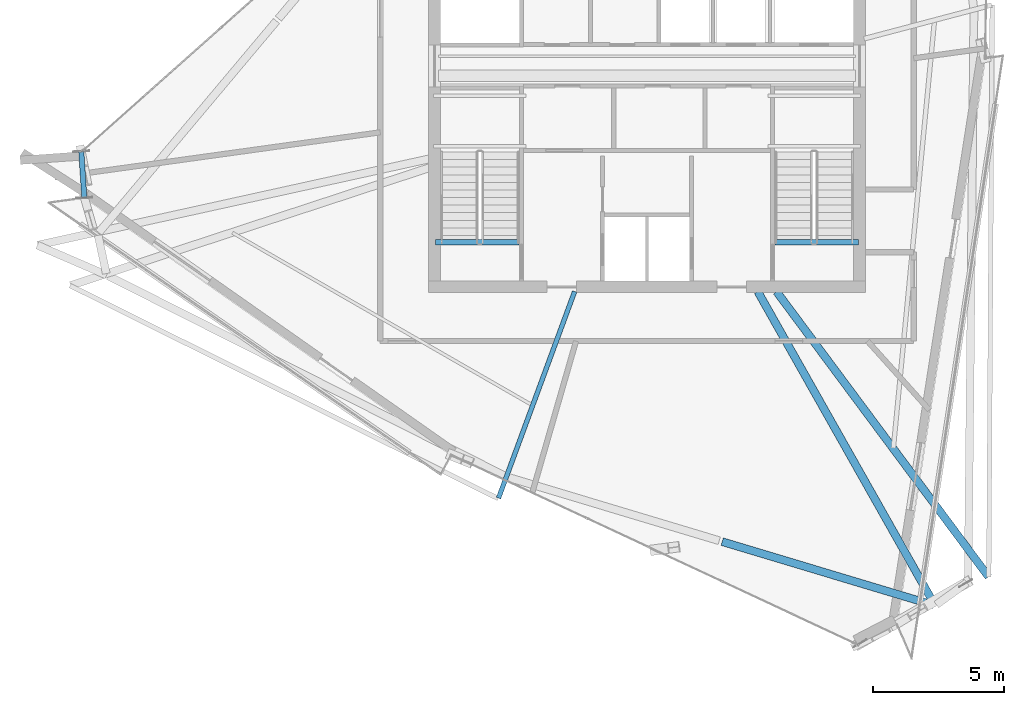
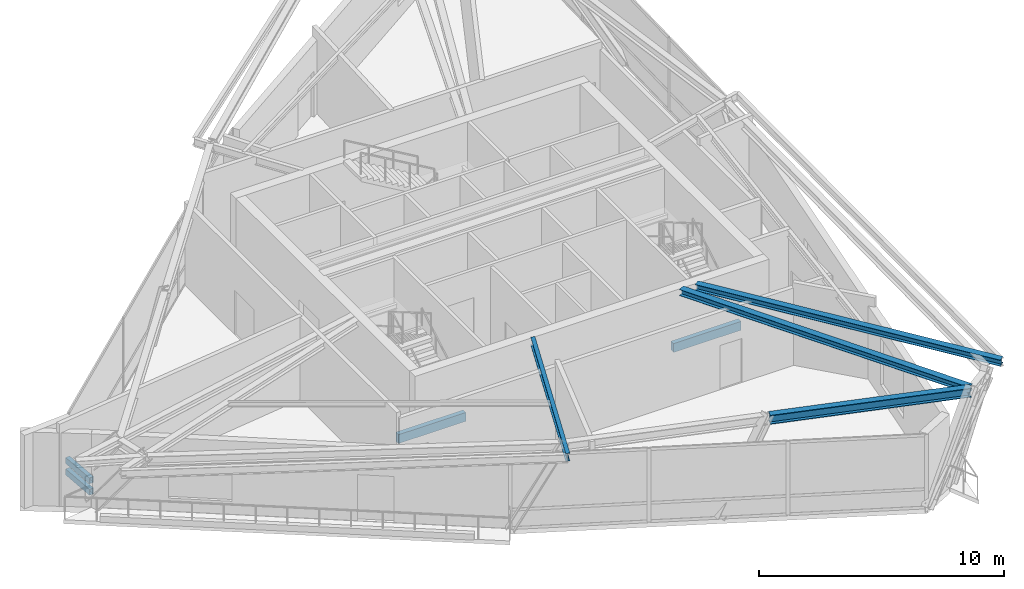
# One storey, part 5 of 22: 6 beams, 2 members.
"""IFC4 building model written with IfcOpenShell, lengths in metres."""

from ifc_helpers import new_model, si_unit, direction, frame, origin, origin_2d, place, context, subcontext, project, spatial, rectangle, hollow_rectangle, i_section, extrude, source, transform, mapped, material, material_profile, profile_set, type_object, element, save


model = new_model("IFC4")

# Units and contexts
model_context = context("Model", 3, precision=1e-05, world=origin(), true_north=direction((0.0, 1.0)))
body_context = subcontext(model_context, "Body", "Model", "MODEL_VIEW")
ifc_project = project(units=[si_unit("LENGTHUNIT", "METRE"), si_unit("AREAUNIT", "SQUARE_METRE"), si_unit("VOLUMEUNIT", "CUBIC_METRE"), si_unit("PLANEANGLEUNIT", "RADIAN"), si_unit("MASSUNIT", "GRAM", prefix="KILO")], contexts=[model_context])

# Site, building, storey
site_placement = place(None, origin())
site = spatial("IfcSite", under=ifc_project, at=site_placement, CompositionType="ELEMENT")
building_placement = place(site_placement, origin())
building = spatial("IfcBuilding", under=site, at=building_placement, Name="Olszyna Solenne Hotel", CompositionType="ELEMENT")
storey_placement = place(building_placement, frame((0.0, 0.0, 286.10009765625)))
storey = spatial("IfcBuildingStorey", under=building, at=storey_placement, Name="L76", CompositionType="ELEMENT", Elevation=286.10009765625)

# Beams
ifc_material_1 = material(Name="Steel S355J2", Category="steel")
ifc_material_profile_1 = material_profile(ifc_material_1, i_section(OverallWidth=0.300048828125, OverallDepth=0.449951171875, WebThickness=0.013916015625, FlangeThickness=0.02587890625, at=origin_2d()), Name="HEB 450", Category="load-bearing")
ifc_profile_set_1 = profile_set([ifc_material_profile_1], Name="Steel S355J2")
beam_type_1 = type_object("IfcBeamType", Name="BM-S4", PredefinedType="BEAM", material=ifc_profile_set_1)
shared_shape_1 = source(origin(), body_context, "Body", "SweptSolid", [
    extrude(i_section(OverallWidth=0.300048828125, OverallDepth=0.449951171875, WebThickness=0.013916015625, FlangeThickness=0.02587890625, at=origin_2d()), origin(), (0.0, 0.0, 1.0), 8.439453125),
])
beam_1_placement = place(storey_placement, frame((40.876708984375, 9.5322265625, 3.89501953125), z_axis=(0.957713150335, -0.287724732472, 0.0), x_axis=(0.287724732472, 0.957713150335, 0.0)))
element("IfcBeam", 1, at=beam_1_placement, inside=storey, type_object=beam_type_1, Name="Perimeter spandrel beam BM-S4 B-L76-2231", PredefinedType="BEAM", context=body_context, shape_type="MappedRepresentation", body=[
    mapped(shared_shape_1, transform((0.0, 0.0, 0.0), x_axis=(1.0, 0.0, 0.0), y_axis=(0.0, 1.0, 0.0), z_axis=(0.0, 0.0, 1.0), scale=1.0)),
])
ifc_material_profile_2 = material_profile(ifc_material_1, i_section(OverallWidth=0.179931640625, OverallDepth=0.39990234375, WebThickness=0.008544921875, FlangeThickness=0.013427734375, at=origin_2d()), Name="IPE 400", Category="load-bearing")
ifc_profile_set_2 = profile_set([ifc_material_profile_2], Name="Steel S355J2")
beam_type_2 = type_object("IfcBeamType", Name="BM-F5", PredefinedType="BEAM", material=ifc_profile_set_2)
shared_shape_2 = source(origin(), body_context, "Body", "SweptSolid", [
    extrude(i_section(OverallWidth=0.179931640625, OverallDepth=0.39990234375, WebThickness=0.008544921875, FlangeThickness=0.013427734375, at=origin_2d()), origin(), (0.0, 0.0, 1.0), 8.4208984375),
])
beam_2_placement = place(storey_placement, frame((32.322509765625, 11.195068359375, 3.919921875), z_axis=(0.345671770298, 0.938355490856, 0.0), x_axis=(-0.938355490856, 0.345671770298, 0.0)))
element("IfcBeam", 2, at=beam_2_placement, inside=storey, type_object=beam_type_2, Name="Radial floor girder BM-F5 B-L76-2241", PredefinedType="BEAM", context=body_context, shape_type="MappedRepresentation", body=[
    mapped(shared_shape_2, transform((0.0, 0.0, 0.0), x_axis=(1.0, 0.0, 0.0), y_axis=(0.0, 1.0, 0.0), z_axis=(0.0, 0.0, 1.0), scale=1.0)),
])
ifc_material_profile_3 = material_profile(ifc_material_1, i_section(OverallWidth=0.300048828125, OverallDepth=0.31005859375, WebThickness=0.009033203125, FlangeThickness=0.015380859375, at=origin_2d()), Name="HEA 320", Category="load-bearing")
ifc_profile_set_3 = profile_set([ifc_material_profile_3], Name="Steel S355J2")
beam_type_3 = type_object("IfcBeamType", Name="BM-G3", PredefinedType="BEAM", material=ifc_profile_set_3)
shared_shape_3 = source(origin(), body_context, "Body", "SweptSolid", [
    extrude(i_section(OverallWidth=0.300048828125, OverallDepth=0.31005859375, WebThickness=0.009033203125, FlangeThickness=0.015380859375, at=origin_2d()), origin(), (0.0, 0.0, 1.0), 13.728271484375),
])
beam_3_placement = place(storey_placement, frame((48.9873046875, 7.138916015625, 3.96484375), z_axis=(-0.491633520699, 0.870802205627, 0.0), x_axis=(-0.870802205627, -0.491633520699, 0.0)))
element("IfcBeam", 3, at=beam_3_placement, inside=storey, type_object=beam_type_3, Name="Radial floor girder BM-G3 B-L76-2242", PredefinedType="BEAM", context=body_context, shape_type="MappedRepresentation", body=[
    mapped(shared_shape_3, transform((0.0, 0.0, 0.0), x_axis=(1.0, 0.0, 0.0), y_axis=(0.0, 1.0, 0.0), z_axis=(0.0, 0.0, 1.0), scale=1.0)),
])
shared_shape_4 = source(origin(), body_context, "Body", "SweptSolid", [
    extrude(i_section(OverallWidth=0.300048828125, OverallDepth=0.31005859375, WebThickness=0.009033203125, FlangeThickness=0.015380859375, at=origin_2d()), origin(), (0.0, 0.0, 1.0), 13.581787109375),
])
beam_4_placement = place(storey_placement, frame((51.05908203125, 8.192138671875, 3.96484375), z_axis=(-0.596626782306, 0.802518836312, 0.0), x_axis=(-0.802518836312, -0.596626782306, 0.0)))
element("IfcBeam", 4, at=beam_4_placement, inside=storey, type_object=beam_type_3, Name="Radial floor girder BM-G3 B-L76-2243", PredefinedType="BEAM", context=body_context, shape_type="MappedRepresentation", body=[
    mapped(shared_shape_4, transform((0.0, 0.0, 0.0), x_axis=(1.0, 0.0, 0.0), y_axis=(0.0, 1.0, 0.0), z_axis=(0.0, 0.0, 1.0), scale=1.0)),
])

# Members
ifc_material_profile_4 = material_profile(ifc_material_1, hollow_rectangle(XDim=0.199951171875, YDim=0.300048828125, WallThickness=0.01611328125, at=origin_2d()), Name="RHS 300x200x16", Category="load-bearing")
ifc_profile_set_4 = profile_set([ifc_material_profile_4], Name="Steel S355J2")
member_type = type_object("IfcMemberType", Name="CH-PR1", PredefinedType="CHORD", material=ifc_profile_set_4)
shared_shape_5 = source(origin(), body_context, "Body", "SweptSolid", [
    extrude(hollow_rectangle(XDim=0.199951171875, YDim=0.300048828125, WallThickness=0.01611328125, at=origin_2d()), origin(), (0.0, 0.0, 1.0), 1.751708984375),
])
for number, where, z_axis, x_axis, name in (
    (5, (16.368896484375, 24.441162109375, 1.349853515625), (0.066343247004, -0.997796859875, 0.0), (0.997796859875, 0.066343247004, 0.0), "Glass-prism tie chord CH-PR1 M-L76-PR1"),
    (6, (16.368896484375, 24.441162109375, 0.77978515625), (0.066343247004, -0.997796859875, 0.0), (0.997796859875, 0.066343247004, 0.0), "Glass-prism tie chord CH-PR1 M-L76-PR2"),
):
    element("IfcMember", number, at=place(storey_placement, frame(where, z_axis=z_axis, x_axis=x_axis)), inside=storey, type_object=member_type, Name=name, PredefinedType="CHORD", context=body_context, shape_type="MappedRepresentation", body=[
        mapped(shared_shape_5, transform((0.0, 0.0, 0.0), x_axis=(1.0, 0.0, 0.0), y_axis=(0.0, 1.0, 0.0), z_axis=(0.0, 0.0, 1.0), scale=1.0)),
    ])

# Beams
ifc_material_2 = material(Name="Concrete C50/60", Category="concrete")
ifc_material_profile_5 = material_profile(ifc_material_2, rectangle(XDim=0.219970703125, YDim=0.43994140625, at=origin_2d()), Name="RC 220x440", Category="load-bearing")
ifc_profile_set_5 = profile_set([ifc_material_profile_5], Name="Concrete C50/60")
beam_type_4 = type_object("IfcBeamType", Name="BM-ST1", PredefinedType="BEAM", material=ifc_profile_set_5)
shared_shape_6 = source(origin(), body_context, "Body", "SweptSolid", [
    extrude(rectangle(XDim=0.219970703125, YDim=0.43994140625, at=origin_2d()), origin(), (0.0, 0.0, 1.0), 3.18017578125),
])
for number, where, z_axis, x_axis, name in (
    (7, (33.10009765625, 20.97998046875, -0.205078125), (-1.0, 0.0, 0.0), (0.0, -1.0, 0.0), "Concrete stair trimmer beam BM-ST1 SHB-ST1-0238"),
    (8, (46.080078125, 20.97998046875, -0.205078125), (-1.0, 0.0, 0.0), (0.0, -1.0, 0.0), "Concrete stair trimmer beam BM-ST1 SHB-ST2-0478"),
):
    element("IfcBeam", number, at=place(storey_placement, frame(where, z_axis=z_axis, x_axis=x_axis)), inside=storey, type_object=beam_type_4, Name=name, PredefinedType="BEAM", context=body_context, shape_type="MappedRepresentation", body=[
        mapped(shared_shape_6, transform((0.0, 0.0, 0.0), x_axis=(1.0, 0.0, 0.0), y_axis=(0.0, 1.0, 0.0), z_axis=(0.0, 0.0, 1.0), scale=1.0)),
    ])

save(model, "model.ifc")
